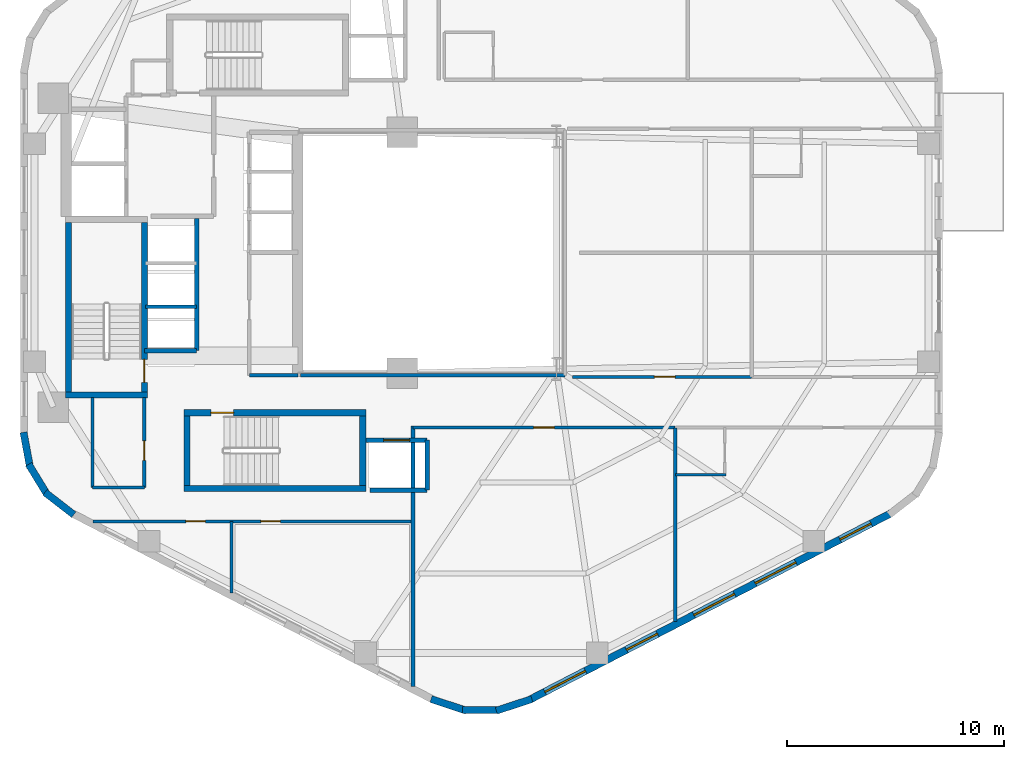
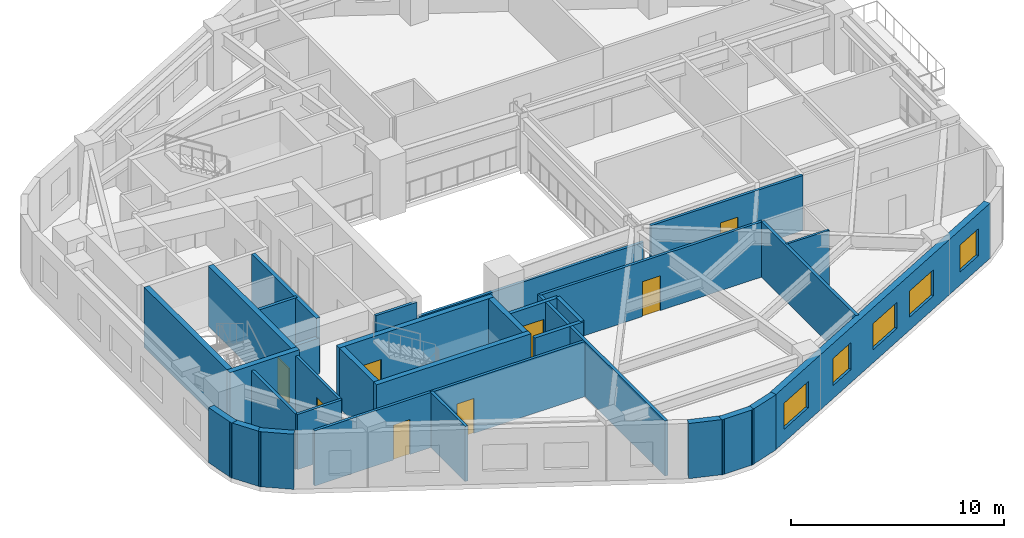
# One storey, part 4 of 9: 32 walls, 8 doors, 5 windows, 13 openings.
"""IFC4 building model written with IfcOpenShell, lengths in metres."""

from ifc_helpers import new_model, si_unit, direction, frame, frame_2d, origin, place, context, subcontext, project, spatial, rectangle, extrude, material, layer, layer_set, type_object, element, fill, save


model = new_model("IFC4")

# Units and contexts
model_context = context("Model", 3, precision=1e-05, world=origin(), true_north=direction((0.0, 1.0)))
body_context = subcontext(model_context, "Body", "Model", "MODEL_VIEW")
ifc_project = project(units=[si_unit("LENGTHUNIT", "METRE"), si_unit("AREAUNIT", "SQUARE_METRE"), si_unit("VOLUMEUNIT", "CUBIC_METRE"), si_unit("PLANEANGLEUNIT", "RADIAN"), si_unit("MASSUNIT", "GRAM", prefix="KILO"), si_unit("THERMODYNAMICTEMPERATUREUNIT", "KELVIN"), si_unit("POWERUNIT", "WATT")], contexts=[model_context])

# Site, building, storey
site_placement = place(None, origin())
site = spatial("IfcSite", under=ifc_project, at=site_placement, CompositionType="ELEMENT")
building_placement = place(site_placement, origin())
building = spatial("IfcBuilding", under=site, at=building_placement, Name="Skarre Station Tower", CompositionType="ELEMENT")
storey_placement = place(building_placement, frame((0.0, 0.0, 108.449951171875)))
storey = spatial("IfcBuildingStorey", under=building, at=storey_placement, Name="L28", CompositionType="ELEMENT", Elevation=108.449951171875)

# Walls
ifc_material_1 = material(Name="Acoustic Steel-Stud Gypsum Partition", Category="steel")
ifc_layer_1 = layer(ifc_material_1, 0.14990234375, Name="Acoustic Steel-Stud Gypsum Partition")
ifc_layer_set_1 = layer_set([ifc_layer_1], Name="Acoustic Steel-Stud Gypsum Partition")
wall_type_1 = type_object("IfcWallType", Name="Fire-Rated Corridor Acoustic Partition 150", PredefinedType="PARTITIONING", material=ifc_layer_set_1)
wall_1_placement = place(storey_placement, frame((25.320068359375, 18.360107421875, 0.0), z_axis=(0.0, 0.0, 1.0), x_axis=(1.0, 0.0, 0.0)))
element("IfcWall", 1, at=wall_1_placement, inside=storey, type_object=wall_type_1, Name="L28 Interior Partition WL-PT-L28-RC1-S", PredefinedType="PARTITIONING", context=body_context, shape_type="SweptSolid", body=[
    extrude(rectangle(XDim=2.22998046875, YDim=0.14990234375, at=frame_2d((1.114990234375, 0.0))), origin(), (0.0, 0.0, 1.0), 3.16015625),
])
wall_2_placement = place(storey_placement, frame((18.10009765625, 17.340087890625, 0.0), z_axis=(0.0, 0.0, 1.0), x_axis=(0.0, -1.0, 0.0)))
element("IfcWall", 2, at=wall_2_placement, inside=storey, type_object=wall_type_1, Name="L28 Interior Partition WL-PT-L28-CSVC-W", PredefinedType="PARTITIONING", context=body_context, shape_type="SweptSolid", body=[
    extrude(rectangle(XDim=4.14013671875, YDim=0.14990234375, at=frame_2d((2.070068359375, 0.0))), origin(), (0.0, 0.0, 1.0), 3.16015625),
])
wall_3_placement = place(storey_placement, frame((18.10009765625, 13.199951171875, 0.0), z_axis=(0.0, 0.0, 1.0), x_axis=(1.0, 0.0, 0.0)))
element("IfcWall", 3, at=wall_3_placement, inside=storey, type_object=wall_type_1, Name="L28 Interior Partition WL-PT-L28-CSVC-S", PredefinedType="PARTITIONING", context=body_context, shape_type="SweptSolid", body=[
    extrude(rectangle(XDim=2.389892578125, YDim=0.14990234375, at=frame_2d((1.19482421875, 0.0))), origin(), (0.0, 0.0, 1.0), 3.16015625),
])

# Wall, opening, door
wall_4_placement = place(storey_placement, frame((20.489990234375, 13.199951171875, 0.0), z_axis=(0.0, 0.0, 1.0), x_axis=(0.0, 1.0, 0.0)))
wall_4 = element("IfcWall", 4, at=wall_4_placement, inside=storey, type_object=wall_type_1, Name="L28 Interior Partition WL-PT-L28-CSVC-E", PredefinedType="PARTITIONING", context=body_context, shape_type="SweptSolid", body=[
    extrude(rectangle(XDim=4.14013671875, YDim=0.14990234375, at=frame_2d((2.070068359375, 0.0))), origin(), (0.0, 0.0, 1.0), 3.16015625),
])
opening_1_placement = place(wall_4_placement, frame((1.25, 0.0, 0.0)))
opening_1 = element("IfcOpeningElement", 5, at=opening_1_placement, cuts=wall_4, Name="Opening DR-SVC90", PredefinedType="OPENING", context=body_context, shape_type="SweptSolid", body=[
    extrude(rectangle(XDim=0.89990234375, YDim=2.0, at=frame_2d((0.449951171875, 1.0))), frame((0.0, 0.0849609375, 0.0), z_axis=(0.0, -1.0, 0.0), x_axis=(1.0, 0.0, 0.0)), (0.0, 0.0, 1.0), 0.169921875),
])
ifc_material_2 = material(Name="Powder-Coated Hollow-Metal Acoustic Fire Leaf", Category="steel")
door_type_1 = type_object("IfcDoorType", Name="Service & Riser Fire Door FD60 900x2100", OperationType="SINGLE_SWING_LEFT", PredefinedType="DOOR", material=ifc_material_2)
door_1_placement = place(opening_1_placement, origin())
door_1 = element("IfcDoor", 6, at=door_1_placement, inside=storey, type_object=door_type_1, Name="L28 Core Pantry Door", OperationType="SINGLE_SWING_LEFT", OverallHeight=2.0, OverallWidth=0.89990234375, PredefinedType="DOOR", context=body_context, shape_type="SweptSolid", body=[
    extrude(rectangle(XDim=0.89990234375, YDim=2.0, at=frame_2d((0.449951171875, 1.0))), frame((0.0, 0.02490234375, 0.0), z_axis=(0.0, -1.0, 0.0), x_axis=(1.0, 0.0, 0.0)), (0.0, 0.0, 1.0), 0.050048828125),
])
fill(opening_1, door_1)

# Walls
wall_5_placement = place(storey_placement, frame((27.675048828125, 18.360107421875, 0.0), z_axis=(0.0, 0.0, 1.0), x_axis=(1.0, 0.0, 0.0)))
element("IfcWall", 7, at=wall_5_placement, inside=storey, type_object=wall_type_1, Name="L28 Interior Partition WL-PT-L28-ATRW-S", PredefinedType="PARTITIONING", context=body_context, shape_type="SweptSolid", body=[
    extrude(rectangle(XDim=12.1650390625, YDim=0.14990234375, at=frame_2d((6.08251953125, 0.0))), origin(), (0.0, 0.0, 1.0), 2.301025390625),
])
wall_6_placement = place(storey_placement, frame((24.5, 8.35009765625, 0.0), z_axis=(0.0, 0.0, 1.0), x_axis=(0.0, 1.0, 0.0)))
element("IfcWall", 8, at=wall_6_placement, inside=storey, type_object=wall_type_1, Name="L28 Interior Partition WL-PT-L28-SWP-M", PredefinedType="PARTITIONING", context=body_context, shape_type="SweptSolid", body=[
    extrude(rectangle(XDim=3.289794921875, YDim=0.14990234375, at=frame_2d((1.64501953125, 0.0))), origin(), (0.0, 0.0, 1.0), 3.16015625),
])

# Wall, openings, doors
wall_7_placement = place(storey_placement, frame((18.1259765625, 11.639892578125, 0.0), z_axis=(0.0, 0.0, 1.0), x_axis=(1.0, 0.0, 0.0)))
wall_7 = element("IfcWall", 9, at=wall_7_placement, inside=storey, type_object=wall_type_1, Name="L28 Interior Partition WL-PT-L28-SWP-N", PredefinedType="PARTITIONING", context=body_context, shape_type="SweptSolid", body=[
    extrude(rectangle(XDim=14.72412109375, YDim=0.14990234375, at=frame_2d((7.362060546875, 0.0))), origin(), (0.0, 0.0, 1.0), 3.16015625),
])
opening_2_placement = place(wall_7_placement, frame((4.27392578125, 0.0, 0.0)))
opening_2 = element("IfcOpeningElement", 10, at=opening_2_placement, cuts=wall_7, Name="Opening DR-SVC90", PredefinedType="OPENING", context=body_context, shape_type="SweptSolid", body=[
    extrude(rectangle(XDim=0.89990234375, YDim=2.0, at=frame_2d((0.449951171875, 1.0))), frame((0.0, 0.0849609375, 0.0), z_axis=(0.0, -1.0, 0.0), x_axis=(1.0, 0.0, 0.0)), (0.0, 0.0, 1.0), 0.169921875),
])
opening_3_placement = place(wall_7_placement, frame((7.72412109375, 0.0, 0.0)))
opening_3 = element("IfcOpeningElement", 11, at=opening_3_placement, cuts=wall_7, Name="Opening DR-SVC90", PredefinedType="OPENING", context=body_context, shape_type="SweptSolid", body=[
    extrude(rectangle(XDim=0.89990234375, YDim=2.0, at=frame_2d((0.449951171875, 1.0))), frame((0.0, 0.0849609375, 0.0), z_axis=(0.0, -1.0, 0.0), x_axis=(1.0, 0.0, 0.0)), (0.0, 0.0, 1.0), 0.169921875),
])
door_2_placement = place(opening_2_placement, origin())
door_2 = element("IfcDoor", 12, at=door_2_placement, inside=storey, type_object=door_type_1, Name="L28 Floor Public Toilets Door", OperationType="SINGLE_SWING_LEFT", OverallHeight=2.0, OverallWidth=0.89990234375, PredefinedType="DOOR", context=body_context, shape_type="SweptSolid", body=[
    extrude(rectangle(XDim=0.89990234375, YDim=2.0, at=frame_2d((0.449951171875, 1.0))), frame((0.0, 0.02490234375, 0.0), z_axis=(0.0, -1.0, 0.0), x_axis=(1.0, 0.0, 0.0)), (0.0, 0.0, 1.0), 0.050048828125),
])
fill(opening_2, door_2)
door_3_placement = place(opening_3_placement, origin())
door_3 = element("IfcDoor", 13, at=door_3_placement, inside=storey, type_object=door_type_1, Name="L28 Housekeeping Room Door", OperationType="SINGLE_SWING_LEFT", OverallHeight=2.0, OverallWidth=0.89990234375, PredefinedType="DOOR", context=body_context, shape_type="SweptSolid", body=[
    extrude(rectangle(XDim=0.89990234375, YDim=2.0, at=frame_2d((0.449951171875, 1.0))), frame((0.0, 0.02490234375, 0.0), z_axis=(0.0, -1.0, 0.0), x_axis=(1.0, 0.0, 0.0)), (0.0, 0.0, 1.0), 0.050048828125),
])
fill(opening_3, door_3)

# Wall, opening, door
wall_8_placement = place(storey_placement, frame((48.428955078125, 18.2900390625, 0.0), z_axis=(0.0, 0.0, 1.0), x_axis=(-1.0, 0.0, 0.0)))
wall_8 = element("IfcWall", 14, at=wall_8_placement, inside=storey, type_object=wall_type_1, Name="L28 Interior Partition WL-PT-L28-EWS1-CW", PredefinedType="PARTITIONING", context=body_context, shape_type="SweptSolid", body=[
    extrude(rectangle(XDim=8.22900390625, YDim=0.14990234375, at=frame_2d((4.114501953125, 0.0))), origin(), (0.0, 0.0, 1.0), 3.16015625),
])
opening_4_placement = place(wall_8_placement, frame((3.513916015625, 0.0, 0.0)))
opening_4 = element("IfcOpeningElement", 15, at=opening_4_placement, cuts=wall_8, Name="Opening DR-FD60", PredefinedType="OPENING", context=body_context, shape_type="SweptSolid", body=[
    extrude(rectangle(XDim=0.9599609375, YDim=2.0, at=frame_2d((0.47998046875, 1.0))), frame((0.0, 0.0849609375, 0.0), z_axis=(0.0, -1.0, 0.0), x_axis=(1.0, 0.0, 0.0)), (0.0, 0.0, 1.0), 0.169921875),
])
ifc_material_3 = material(Name="Nordic White-Oak Veneer Solid-Core Fire Leaf", Category="wood")
door_type_2 = type_object("IfcDoorType", Name="Corridor Suite Entry Fire Door FD60 960x2150", OperationType="SINGLE_SWING_LEFT", PredefinedType="DOOR", material=ifc_material_3)
door_4_placement = place(opening_4_placement, origin())
door_4 = element("IfcDoor", 16, at=door_4_placement, inside=storey, type_object=door_type_2, Name="L28 EWS1 Entry Door", OperationType="SINGLE_SWING_LEFT", OverallHeight=2.0, OverallWidth=0.9599609375, PredefinedType="DOOR", context=body_context, shape_type="SweptSolid", body=[
    extrude(rectangle(XDim=0.9599609375, YDim=2.0, at=frame_2d((0.47998046875, 1.0))), frame((0.0, 0.02490234375, 0.0), z_axis=(0.0, -1.0, 0.0), x_axis=(1.0, 0.0, 0.0)), (0.0, 0.0, 1.0), 0.050048828125),
])
fill(opening_4, door_4)

wall_9_placement = place(storey_placement, frame((32.85009765625, 15.9599609375, 0.0), z_axis=(0.0, 0.0, 1.0), x_axis=(1.0, 0.0, 0.0)))
wall_9 = element("IfcWall", 17, at=wall_9_placement, inside=storey, type_object=wall_type_1, Name="L28 Interior Partition WL-PT-L28-SW1-CW", PredefinedType="PARTITIONING", context=body_context, shape_type="SweptSolid", body=[
    extrude(rectangle(XDim=12.05078125, YDim=0.14990234375, at=frame_2d((6.025390625, 0.0))), origin(), (0.0, 0.0, 1.0), 3.16015625),
])
opening_5_placement = place(wall_9_placement, frame((5.5458984375, 0.0, 0.0)))
opening_5 = element("IfcOpeningElement", 18, at=opening_5_placement, cuts=wall_9, Name="Opening DR-FD60", PredefinedType="OPENING", context=body_context, shape_type="SweptSolid", body=[
    extrude(rectangle(XDim=0.9599609375, YDim=2.0, at=frame_2d((0.47998046875, 1.0))), frame((0.0, 0.0849609375, 0.0), z_axis=(0.0, -1.0, 0.0), x_axis=(1.0, 0.0, 0.0)), (0.0, 0.0, 1.0), 0.169921875),
])
door_5_placement = place(opening_5_placement, origin())
door_5 = element("IfcDoor", 19, at=door_5_placement, inside=storey, type_object=door_type_2, Name="L28 SW1 Entry Door", OperationType="SINGLE_SWING_LEFT", OverallHeight=2.0, OverallWidth=0.9599609375, PredefinedType="DOOR", context=body_context, shape_type="SweptSolid", body=[
    extrude(rectangle(XDim=0.9599609375, YDim=2.0, at=frame_2d((0.47998046875, 1.0))), frame((0.0, 0.02490234375, 0.0), z_axis=(0.0, -1.0, 0.0), x_axis=(1.0, 0.0, 0.0)), (0.0, 0.0, 1.0), 0.050048828125),
])
fill(opening_5, door_5)

# Wall
ifc_material_4 = material(Name="Insulated Timber-Stud Gypsum Partition", Category="wood")
ifc_layer_2 = layer(ifc_material_4, 0.1201171875, Name="Insulated Timber-Stud Gypsum Partition")
ifc_layer_set_2 = layer_set([ifc_layer_2], Name="Insulated Timber-Stud Gypsum Partition")
wall_type_2 = type_object("IfcWallType", Name="Internal Suite Acoustic Partition 120", PredefinedType="PARTITIONING", material=ifc_layer_set_2)
wall_10_placement = place(storey_placement, frame((44.93701171875, 13.780029296875, 0.0), z_axis=(0.0, 0.0, 1.0), x_axis=(1.0, 0.0, 0.0)))
element("IfcWall", 20, at=wall_10_placement, inside=storey, type_object=wall_type_2, Name="L28 Interior Partition WL-PT-L28-SW2-EW1", PredefinedType="PARTITIONING", context=body_context, shape_type="SweptSolid", body=[
    extrude(rectangle(XDim=2.320068359375, YDim=0.1201171875, at=frame_2d((1.16015625, 0.0))), origin(), (0.0, 0.0, 1.0), 3.16015625),
])

# Wall, openings, windows
ifc_material_5 = material(Name="Precast concrete C45/55", Category="concrete")
ifc_layer_3 = layer(ifc_material_5, 0.340087890625, Name="Precast concrete C45/55")
ifc_layer_set_3 = layer_set([ifc_layer_3], Name="Precast concrete C45/55")
wall_type_3 = type_object("IfcWallType", Name="Nordic Honed Precast Facet Wall 340", PredefinedType="STANDARD", material=ifc_layer_set_3)
wall_11_placement = place(storey_placement, frame((54.8310546875, 12.010009765625, 0.0), z_axis=(0.0, 0.0, 1.0), x_axis=(-0.888613612362, -0.458656568606, 0.0)))
wall_11 = element("IfcWall", 21, at=wall_11_placement, inside=storey, type_object=wall_type_3, Name="L28 Facet 4 Nordic Precast Masonry Wall", PredefinedType="STANDARD", context=body_context, shape_type="SweptSolid", body=[
    extrude(rectangle(XDim=18.680908203125, YDim=0.340087890625, at=frame_2d((9.34033203125, 0.0))), origin(), (0.0, 0.0, 1.0), 3.16015625),
])
opening_6_placement = place(wall_11_placement, frame((1.02294921875, 0.0, 0.75)))
opening_6 = element("IfcOpeningElement", 22, at=opening_6_placement, cuts=wall_11, Name="Opening WN-Z2A", PredefinedType="OPENING", context=body_context, shape_type="SweptSolid", body=[
    extrude(rectangle(XDim=1.60009765625, YDim=1.550048828125, at=frame_2d((0.800048828125, 0.77490234375))), frame((0.0, 0.179931640625, 0.0), z_axis=(0.0, -1.0, 0.0), x_axis=(1.0, 0.0, 0.0)), (0.0, 0.0, 1.0), 0.360107421875),
])
opening_7_placement = place(wall_11_placement, frame((4.9140625, 0.0, 0.75)))
opening_7 = element("IfcOpeningElement", 23, at=opening_7_placement, cuts=wall_11, Name="Opening WN-Z2B", PredefinedType="OPENING", context=body_context, shape_type="SweptSolid", body=[
    extrude(rectangle(XDim=2.10009765625, YDim=1.5, at=frame_2d((1.050048828125, 0.75))), frame((0.0, 0.179931640625, 0.0), z_axis=(0.0, -1.0, 0.0), x_axis=(1.0, 0.0, 0.0)), (0.0, 0.0, 1.0), 0.360107421875),
])
opening_8_placement = place(wall_11_placement, frame((8.092041015625, 0.0, 0.75)))
opening_8 = element("IfcOpeningElement", 24, at=opening_8_placement, cuts=wall_11, Name="Opening WN-Z2B", PredefinedType="OPENING", context=body_context, shape_type="SweptSolid", body=[
    extrude(rectangle(XDim=2.10009765625, YDim=1.5, at=frame_2d((1.050048828125, 0.75))), frame((0.0, 0.179931640625, 0.0), z_axis=(0.0, -1.0, 0.0), x_axis=(1.0, 0.0, 0.0)), (0.0, 0.0, 1.0), 0.360107421875),
])
opening_9_placement = place(wall_11_placement, frame((12.080078125, 0.0, 0.75)))
opening_9 = element("IfcOpeningElement", 25, at=opening_9_placement, cuts=wall_11, Name="Opening WN-Z2A", PredefinedType="OPENING", context=body_context, shape_type="SweptSolid", body=[
    extrude(rectangle(XDim=1.60009765625, YDim=1.550048828125, at=frame_2d((0.800048828125, 0.77490234375))), frame((0.0, 0.179931640625, 0.0), z_axis=(0.0, -1.0, 0.0), x_axis=(1.0, 0.0, 0.0)), (0.0, 0.0, 1.0), 0.360107421875),
])
opening_10_placement = place(wall_11_placement, frame((15.80810546875, 0.0, 0.75)))
opening_10 = element("IfcOpeningElement", 26, at=opening_10_placement, cuts=wall_11, Name="Opening WN-Z2B", PredefinedType="OPENING", context=body_context, shape_type="SweptSolid", body=[
    extrude(rectangle(XDim=2.10009765625, YDim=1.5, at=frame_2d((1.050048828125, 0.75))), frame((0.0, 0.179931640625, 0.0), z_axis=(0.0, -1.0, 0.0), x_axis=(1.0, 0.0, 0.0)), (0.0, 0.0, 1.0), 0.360107421875),
])
ifc_material_6 = material(Name="Low-Iron Triple Glazing with Bronze Anodized Frame", Category="glass")
window_type_1 = type_object("IfcWindowType", Name="Nordic Residential Tall Window 1600x1550", PartitioningType="SINGLE_PANEL", PredefinedType="WINDOW", material=ifc_material_6)
window_1_placement = place(opening_6_placement, origin())
window_1 = element("IfcWindow", 27, at=window_1_placement, inside=storey, type_object=window_type_1, Name="L28 Facade Window WL-FAC-L28-F4-1", OverallHeight=1.550048828125, OverallWidth=1.60009765625, PartitioningType="SINGLE_PANEL", PredefinedType="WINDOW", context=body_context, shape_type="SweptSolid", body=[
    extrude(rectangle(XDim=1.60009765625, YDim=1.550048828125, at=frame_2d((0.800048828125, 0.77490234375))), frame((0.0, 0.030029296875, 0.0), z_axis=(0.0, -1.0, 0.0), x_axis=(1.0, 0.0, 0.0)), (0.0, 0.0, 1.0), 0.06005859375),
])
fill(opening_6, window_1)
window_2_placement = place(opening_9_placement, origin())
window_2 = element("IfcWindow", 28, at=window_2_placement, inside=storey, type_object=window_type_1, Name="L28 Facade Window WL-FAC-L28-F4-4", OverallHeight=1.550048828125, OverallWidth=1.60009765625, PartitioningType="SINGLE_PANEL", PredefinedType="WINDOW", context=body_context, shape_type="SweptSolid", body=[
    extrude(rectangle(XDim=1.60009765625, YDim=1.550048828125, at=frame_2d((0.800048828125, 0.77490234375))), frame((0.0, 0.030029296875, 0.0), z_axis=(0.0, -1.0, 0.0), x_axis=(1.0, 0.0, 0.0)), (0.0, 0.0, 1.0), 0.06005859375),
])
fill(opening_9, window_2)
window_type_2 = type_object("IfcWindowType", Name="Nordic Residential Twin Window 2100x1500", PartitioningType="SINGLE_PANEL", PredefinedType="WINDOW", material=ifc_material_6)
window_3_placement = place(opening_7_placement, origin())
window_3 = element("IfcWindow", 29, at=window_3_placement, inside=storey, type_object=window_type_2, Name="L28 Facade Window WL-FAC-L28-F4-2", OverallHeight=1.5, OverallWidth=2.10009765625, PartitioningType="SINGLE_PANEL", PredefinedType="WINDOW", context=body_context, shape_type="SweptSolid", body=[
    extrude(rectangle(XDim=2.10009765625, YDim=1.5, at=frame_2d((1.050048828125, 0.75))), frame((0.0, 0.030029296875, 0.0), z_axis=(0.0, -1.0, 0.0), x_axis=(1.0, 0.0, 0.0)), (0.0, 0.0, 1.0), 0.06005859375),
])
fill(opening_7, window_3)
window_4_placement = place(opening_8_placement, origin())
window_4 = element("IfcWindow", 30, at=window_4_placement, inside=storey, type_object=window_type_2, Name="L28 Facade Window WL-FAC-L28-F4-3", OverallHeight=1.5, OverallWidth=2.10009765625, PartitioningType="SINGLE_PANEL", PredefinedType="WINDOW", context=body_context, shape_type="SweptSolid", body=[
    extrude(rectangle(XDim=2.10009765625, YDim=1.5, at=frame_2d((1.050048828125, 0.75))), frame((0.0, 0.030029296875, 0.0), z_axis=(0.0, -1.0, 0.0), x_axis=(1.0, 0.0, 0.0)), (0.0, 0.0, 1.0), 0.06005859375),
])
fill(opening_8, window_4)
window_5_placement = place(opening_10_placement, origin())
window_5 = element("IfcWindow", 31, at=window_5_placement, inside=storey, type_object=window_type_2, Name="L28 Facade Window WL-FAC-L28-F4-5", OverallHeight=1.5, OverallWidth=2.10009765625, PartitioningType="SINGLE_PANEL", PredefinedType="WINDOW", context=body_context, shape_type="SweptSolid", body=[
    extrude(rectangle(XDim=2.10009765625, YDim=1.5, at=frame_2d((1.050048828125, 0.75))), frame((0.0, 0.030029296875, 0.0), z_axis=(0.0, -1.0, 0.0), x_axis=(1.0, 0.0, 0.0)), (0.0, 0.0, 1.0), 0.06005859375),
])
fill(opening_10, window_5)

# Walls
ifc_layer_4 = layer(ifc_material_5, 0.330078125, Name="Precast concrete C45/55")
ifc_layer_set_4 = layer_set([ifc_layer_4], Name="Precast concrete C45/55")
wall_type_4 = type_object("IfcWallType", Name="Nordic Rounded Corner Precast Wall 330", PredefinedType="STANDARD", material=ifc_layer_set_4)
wall_12_placement = place(storey_placement, frame((17.242919921875, 11.949951171875, 0.0), z_axis=(0.0, 0.0, 1.0), x_axis=(-0.790621329885, 0.612305408053, 0.0)))
element("IfcWall", 32, at=wall_12_placement, inside=storey, type_object=wall_type_4, Name="L28 Rounded Corner Precast Wall F3-1", PredefinedType="STANDARD", context=body_context, shape_type="SweptSolid", body=[
    extrude(rectangle(XDim=1.67578125, YDim=0.330078125, at=frame_2d((0.837890625, 0.0))), origin(), (0.0, 0.0, 1.0), 3.16015625),
])
wall_13_placement = place(storey_placement, frame((16.04296875, 12.8359375, 0.0), z_axis=(0.0, 0.0, 1.0), x_axis=(-0.520519429557, 0.853849824883, 0.0)))
element("IfcWall", 33, at=wall_13_placement, inside=storey, type_object=wall_type_4, Name="L28 Rounded Corner Precast Wall F3-2", PredefinedType="STANDARD", context=body_context, shape_type="SweptSolid", body=[
    extrude(rectangle(XDim=1.67724609375, YDim=0.330078125, at=frame_2d((0.838623046875, 0.0))), origin(), (0.0, 0.0, 1.0), 3.16015625),
])
wall_14_placement = place(storey_placement, frame((15.237060546875, 14.093017578125, 0.0), z_axis=(0.0, 0.0, 1.0), x_axis=(-0.181984991895, 0.983301308209, 0.0)))
element("IfcWall", 34, at=wall_14_placement, inside=storey, type_object=wall_type_4, Name="L28 Rounded Corner Precast Wall F3-3", PredefinedType="STANDARD", context=body_context, shape_type="SweptSolid", body=[
    extrude(rectangle(XDim=1.677001953125, YDim=0.330078125, at=frame_2d((0.83837890625, 0.0))), origin(), (0.0, 0.0, 1.0), 3.16015625),
])
for number, where, z_axis, x_axis, name in (
    (35, (38.319091796875, 3.468017578125, 0.0), (0.0, 0.0, 1.0), (-0.949937416267, -0.312440242569, 0.0), "L28 Rounded Corner Precast Wall F4-1"),
    (36, (36.861083984375, 2.958984375, 0.0), (0.0, 0.0, 1.0), (-1.0, 0.0, 0.0), "L28 Rounded Corner Precast Wall F4-2"),
    (37, (35.31689453125, 2.929931640625, 0.0), (0.0, 0.0, 1.0), (-0.949937416267, 0.312440242569, 0.0), "L28 Rounded Corner Precast Wall F4-3"),
):
    element("IfcWall", number, at=place(storey_placement, frame(where, z_axis=z_axis, x_axis=x_axis)), inside=storey, type_object=wall_type_4, Name=name, PredefinedType="STANDARD", context=body_context, shape_type="SweptSolid", body=[
        extrude(rectangle(XDim=1.72216796875, YDim=0.330078125, at=frame_2d((0.861083984375, 0.0))), origin(), (0.0, 0.0, 1.0), 3.16015625),
    ])
ifc_material_7 = material(Name="Concrete C50/60", Category="concrete")
ifc_layer_5 = layer(ifc_material_7, 0.280029296875, Name="Concrete C50/60")
ifc_layer_set_5 = layer_set([ifc_layer_5], Name="Concrete C50/60")
wall_type_5 = type_object("IfcWallType", Name="RC Core Shear Wall 280", PredefinedType="SHEAR", material=ifc_layer_set_5)
wall_15_placement = place(storey_placement, frame((16.8701171875, 17.4599609375, 0.0), z_axis=(0.0, 0.0, 1.0), x_axis=(1.0, 0.0, 0.0)))
element("IfcWall", 38, at=wall_15_placement, inside=storey, type_object=wall_type_5, Name="L28 Stair ST-1 South Shear Wall", PredefinedType="SHEAR", context=body_context, shape_type="SweptSolid", body=[
    extrude(rectangle(XDim=3.759765625, YDim=0.280029296875, at=frame_2d((1.8798828125, 0.0))), origin(), (0.0, 0.0, 1.0), 3.449951171875),
])
wall_16_placement = place(storey_placement, frame((17.010009765625, 25.39990234375, 0.0), z_axis=(0.0, 0.0, 1.0), x_axis=(0.0, -1.0, 0.0)))
element("IfcWall", 39, at=wall_16_placement, inside=storey, type_object=wall_type_5, Name="L28 Stair ST-1 West Shear Wall", PredefinedType="SHEAR", context=body_context, shape_type="SweptSolid", body=[
    extrude(rectangle(XDim=7.7998046875, YDim=0.280029296875, at=frame_2d((3.89990234375, 0.0))), origin(), (0.0, 0.0, 1.0), 3.449951171875),
])

# Wall, opening, door
wall_17_placement = place(storey_placement, frame((20.489990234375, 17.60009765625, 0.0), z_axis=(0.0, 0.0, 1.0), x_axis=(0.0, 1.0, 0.0)))
wall_17 = element("IfcWall", 40, at=wall_17_placement, inside=storey, type_object=wall_type_5, Name="L28 Stair ST-1 East Shear Wall", PredefinedType="SHEAR", context=body_context, shape_type="SweptSolid", body=[
    extrude(rectangle(XDim=7.7998046875, YDim=0.280029296875, at=frame_2d((3.89990234375, 0.0))), origin(), (0.0, 0.0, 1.0), 3.449951171875),
])
opening_11_placement = place(wall_17_placement, frame((0.43994140625, 0.0, 0.0)))
opening_11 = element("IfcOpeningElement", 41, at=opening_11_placement, cuts=wall_17, Name="Opening DR-FD90", PredefinedType="OPENING", context=body_context, shape_type="SweptSolid", body=[
    extrude(rectangle(XDim=1.050048828125, YDim=2.0, at=frame_2d((0.52490234375, 1.0))), frame((0.0, 0.14990234375, 0.0), z_axis=(0.0, -1.0, 0.0), x_axis=(1.0, 0.0, 0.0)), (0.0, 0.0, 1.0), 0.300048828125),
])
ifc_material_8 = material(Name="Fire-Rated Insulated Steel Frame & Timber Core Leaf", Category="steel")
door_type_3 = type_object("IfcDoorType", Name="Stair & FSAE Lobby Fire Door FD90 1050x2150", OperationType="SINGLE_SWING_RIGHT", PredefinedType="DOOR", material=ifc_material_8)
door_6_placement = place(opening_11_placement, origin())
door_6 = element("IfcDoor", 42, at=door_6_placement, inside=storey, type_object=door_type_3, Name="L28 Stair ST-1 Exit Door", OperationType="SINGLE_SWING_RIGHT", OverallHeight=2.0, OverallWidth=1.050048828125, PredefinedType="DOOR", context=body_context, shape_type="SweptSolid", body=[
    extrude(rectangle(XDim=1.050048828125, YDim=2.0, at=frame_2d((0.52490234375, 1.0))), frame((0.0, 0.02490234375, 0.0), z_axis=(0.0, -1.0, 0.0), x_axis=(1.0, 0.0, 0.0)), (0.0, 0.0, 1.0), 0.050048828125),
])
fill(opening_11, door_6)

# Wall
wall_18_placement = place(storey_placement, frame((22.320068359375, 13.159912109375, 0.0), z_axis=(0.0, 0.0, 1.0), x_axis=(1.0, 0.0, 0.0)))
element("IfcWall", 43, at=wall_18_placement, inside=storey, type_object=wall_type_5, Name="L28 Stair ST-2 South Shear Wall", PredefinedType="SHEAR", context=body_context, shape_type="SweptSolid", body=[
    extrude(rectangle(XDim=8.35986328125, YDim=0.280029296875, at=frame_2d((4.179931640625, 0.0))), origin(), (0.0, 0.0, 1.0), 3.449951171875),
])

# Wall, opening, door
wall_19_placement = place(storey_placement, frame((30.679931640625, 16.639892578125, 0.0), z_axis=(0.0, 0.0, 1.0), x_axis=(-1.0, 0.0, 0.0)))
wall_19 = element("IfcWall", 44, at=wall_19_placement, inside=storey, type_object=wall_type_5, Name="L28 Stair ST-2 North Shear Wall", PredefinedType="SHEAR", context=body_context, shape_type="SweptSolid", body=[
    extrude(rectangle(XDim=8.35986328125, YDim=0.280029296875, at=frame_2d((4.179931640625, 0.0))), origin(), (0.0, 0.0, 1.0), 3.449951171875),
])
opening_12_placement = place(wall_19_placement, frame((6.080078125, 0.0, 0.0)))
opening_12 = element("IfcOpeningElement", 45, at=opening_12_placement, cuts=wall_19, Name="Opening DR-FD90", PredefinedType="OPENING", context=body_context, shape_type="SweptSolid", body=[
    extrude(rectangle(XDim=1.050048828125, YDim=2.0, at=frame_2d((0.52490234375, 1.0))), frame((0.0, 0.14990234375, 0.0), z_axis=(0.0, -1.0, 0.0), x_axis=(1.0, 0.0, 0.0)), (0.0, 0.0, 1.0), 0.300048828125),
])
door_7_placement = place(opening_12_placement, origin())
door_7 = element("IfcDoor", 46, at=door_7_placement, inside=storey, type_object=door_type_3, Name="L28 Stair ST-2 Exit Door", OperationType="SINGLE_SWING_RIGHT", OverallHeight=2.0, OverallWidth=1.050048828125, PredefinedType="DOOR", context=body_context, shape_type="SweptSolid", body=[
    extrude(rectangle(XDim=1.050048828125, YDim=2.0, at=frame_2d((0.52490234375, 1.0))), frame((0.0, 0.02490234375, 0.0), z_axis=(0.0, -1.0, 0.0), x_axis=(1.0, 0.0, 0.0)), (0.0, 0.0, 1.0), 0.050048828125),
])
fill(opening_12, door_7)

# Walls
for number, where, z_axis, x_axis, name in (
    (47, (22.4599609375, 16.5, 0.0), (0.0, 0.0, 1.0), (0.0, -1.0, 0.0), "L28 Stair ST-2 West Shear Wall"),
    (48, (30.5400390625, 13.300048828125, 0.0), (0.0, 0.0, 1.0), (0.0, 1.0, 0.0), "L28 Stair ST-2 East Shear Wall"),
):
    element("IfcWall", number, at=place(storey_placement, frame(where, z_axis=z_axis, x_axis=x_axis)), inside=storey, type_object=wall_type_5, Name=name, PredefinedType="SHEAR", context=body_context, shape_type="SweptSolid", body=[
        extrude(rectangle(XDim=3.199951171875, YDim=0.280029296875, at=frame_2d((1.60009765625, 0.0))), origin(), (0.0, 0.0, 1.0), 3.449951171875),
    ])

# Wall, opening, door
ifc_material_9 = material(Name="Gypsum Concrete Shaft Assembly C30/37", Category="concrete")
ifc_layer_6 = layer(ifc_material_9, 0.199951171875, Name="Gypsum Concrete Shaft Assembly C30/37")
ifc_layer_set_6 = layer_set([ifc_layer_6], Name="Gypsum Concrete Shaft Assembly C30/37")
wall_type_6 = type_object("IfcWallType", Name="Shaft & Core Fire Partition 200", PredefinedType="PARTITIONING", material=ifc_layer_set_6)
wall_20_placement = place(storey_placement, frame((33.5, 15.3798828125, 0.0), z_axis=(0.0, 0.0, 1.0), x_axis=(-1.0, 0.0, 0.0)))
wall_20 = element("IfcWall", 49, at=wall_20_placement, inside=storey, type_object=wall_type_6, Name="L28 Interior Partition WL-PT-L28-SV1-N", PredefinedType="PARTITIONING", context=body_context, shape_type="SweptSolid", body=[
    extrude(rectangle(XDim=2.820068359375, YDim=0.199951171875, at=frame_2d((1.41015625, 0.0))), origin(), (0.0, 0.0, 1.0), 3.16015625),
])
opening_13_placement = place(wall_20_placement, frame((0.800048828125, 0.0, 0.0)))
opening_13 = element("IfcOpeningElement", 50, at=opening_13_placement, cuts=wall_20, Name="Opening LD-SV1", PredefinedType="OPENING", context=body_context, shape_type="SweptSolid", body=[
    extrude(rectangle(XDim=1.199951171875, YDim=2.199951171875, at=frame_2d((0.60009765625, 1.10009765625))), frame((0.0, 0.10986328125, 0.0), z_axis=(0.0, -1.0, 0.0), x_axis=(1.0, 0.0, 0.0)), (0.0, 0.0, 1.0), 0.219970703125),
])
ifc_material_10 = material(Name="Heavy-Gauge Brushed Stainless Steel Sliding Leaves", Category="steel")
door_type_4 = type_object("IfcDoorType", Name="Service Elevator Wide Sliding Landing Door 1200x2200", OperationType="SLIDING_TO_RIGHT", PredefinedType="DOOR", material=ifc_material_10)
door_8_placement = place(opening_13_placement, origin())
door_8 = element("IfcDoor", 51, at=door_8_placement, inside=storey, type_object=door_type_4, Name="L28 Service Lift LF-SV1 Landing Door", OperationType="SLIDING_TO_RIGHT", OverallHeight=2.199951171875, OverallWidth=1.199951171875, PredefinedType="DOOR", context=body_context, shape_type="SweptSolid", body=[
    extrude(rectangle(XDim=1.199951171875, YDim=2.199951171875, at=frame_2d((0.60009765625, 1.10009765625))), frame((0.0, 0.02490234375, 0.0), z_axis=(0.0, -1.0, 0.0), x_axis=(1.0, 0.0, 0.0)), (0.0, 0.0, 1.0), 0.050048828125),
])
fill(opening_13, door_8)

# Walls
wall_21_placement = place(storey_placement, frame((33.5, 13.080078125, 0.0), z_axis=(0.0, 0.0, 1.0), x_axis=(0.0, 1.0, 0.0)))
element("IfcWall", 52, at=wall_21_placement, inside=storey, type_object=wall_type_6, Name="L28 Interior Partition WL-PT-L28-SV1-E", PredefinedType="PARTITIONING", context=body_context, shape_type="SweptSolid", body=[
    extrude(rectangle(XDim=2.2998046875, YDim=0.199951171875, at=frame_2d((1.14990234375, 0.0))), origin(), (0.0, 0.0, 1.0), 3.16015625),
])
wall_22_placement = place(storey_placement, frame((30.87890625, 13.080078125, 0.0), z_axis=(0.0, 0.0, 1.0), x_axis=(1.0, 0.0, 0.0)))
element("IfcWall", 53, at=wall_22_placement, inside=storey, type_object=wall_type_6, Name="L28 Interior Partition WL-PT-L28-SV1-S", PredefinedType="PARTITIONING", context=body_context, shape_type="SweptSolid", body=[
    extrude(rectangle(XDim=2.62109375, YDim=0.199951171875, at=frame_2d((1.310546875, 0.0))), origin(), (0.0, 0.0, 1.0), 3.16015625),
])
wall_23_placement = place(storey_placement, frame((22.89990234375, 19.5, 0.0), z_axis=(0.0, 0.0, 1.0), x_axis=(0.0, 1.0, 0.0)))
element("IfcWall", 54, at=wall_23_placement, inside=storey, type_object=wall_type_6, Name="L28 Interior Partition WL-PT-L28-B3-E", PredefinedType="PARTITIONING", context=body_context, shape_type="SweptSolid", body=[
    extrude(rectangle(XDim=6.0849609375, YDim=0.199951171875, at=frame_2d((3.04248046875, 0.0))), origin(), (0.0, 0.0, 1.0), 3.16015625),
])
wall_24_placement = place(storey_placement, frame((20.489990234375, 19.5, 0.0), z_axis=(0.0, 0.0, 1.0), x_axis=(1.0, 0.0, 0.0)))
element("IfcWall", 55, at=wall_24_placement, inside=storey, type_object=wall_type_6, Name="L28 Interior Partition WL-PT-L28-B3-S", PredefinedType="PARTITIONING", context=body_context, shape_type="SweptSolid", body=[
    extrude(rectangle(XDim=2.409912109375, YDim=0.199951171875, at=frame_2d((1.205078125, 0.0))), origin(), (0.0, 0.0, 1.0), 2.06005859375),
])
wall_25_placement = place(storey_placement, frame((20.550048828125, 21.52001953125, 0.0), z_axis=(0.0, 0.0, 1.0), x_axis=(1.0, 0.0, 0.0)))
element("IfcWall", 56, at=wall_25_placement, inside=storey, type_object=wall_type_6, Name="L28 Interior Partition WL-PT-L28-B3-D1", PredefinedType="PARTITIONING", context=body_context, shape_type="SweptSolid", body=[
    extrude(rectangle(XDim=2.349853515625, YDim=0.159912109375, at=frame_2d((1.1748046875, 0.0))), origin(), (0.0, 0.0, 1.0), 3.16015625),
])
ifc_layer_7 = layer(ifc_material_1, 0.1650390625, Name="Acoustic Steel-Stud Gypsum Partition")
ifc_layer_set_7 = layer_set([ifc_layer_7], Name="Acoustic Steel-Stud Gypsum Partition")
wall_type_7 = type_object("IfcWallType", Name="Suite Demising Acoustic Partition 165", PredefinedType="PARTITIONING", material=ifc_layer_set_7)
wall_26_placement = place(storey_placement, frame((32.85009765625, 4.0400390625, 0.0), z_axis=(0.0, 0.0, 1.0), x_axis=(0.0, 1.0, 0.0)))
element("IfcWall", 57, at=wall_26_placement, inside=storey, type_object=wall_type_7, Name="L28 Interior Partition WL-PT-L28-SWP-E", PredefinedType="PARTITIONING", context=body_context, shape_type="SweptSolid", body=[
    extrude(rectangle(XDim=11.989990234375, YDim=0.1650390625, at=frame_2d((5.9951171875, 0.0))), origin(), (0.0, 0.0, 1.0), 3.16015625),
])
wall_27_placement = place(storey_placement, frame((44.9189453125, 7.029052734375, 0.0), z_axis=(0.0, 0.0, 1.0), x_axis=(0.0, 1.0, 0.0)))
element("IfcWall", 58, at=wall_27_placement, inside=storey, type_object=wall_type_7, Name="L28 Interior Partition WL-PT-L28-SW-P1", PredefinedType="PARTITIONING", context=body_context, shape_type="SweptSolid", body=[
    extrude(rectangle(XDim=8.90087890625, YDim=0.1650390625, at=frame_2d((4.450439453125, 0.0))), origin(), (0.0, 0.0, 1.0), 3.16015625),
])

save(model, "model.ifc")
